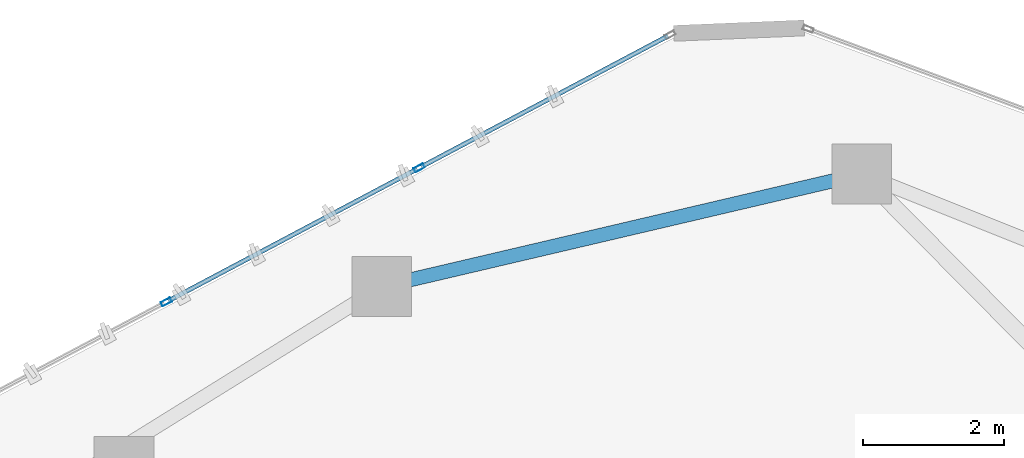
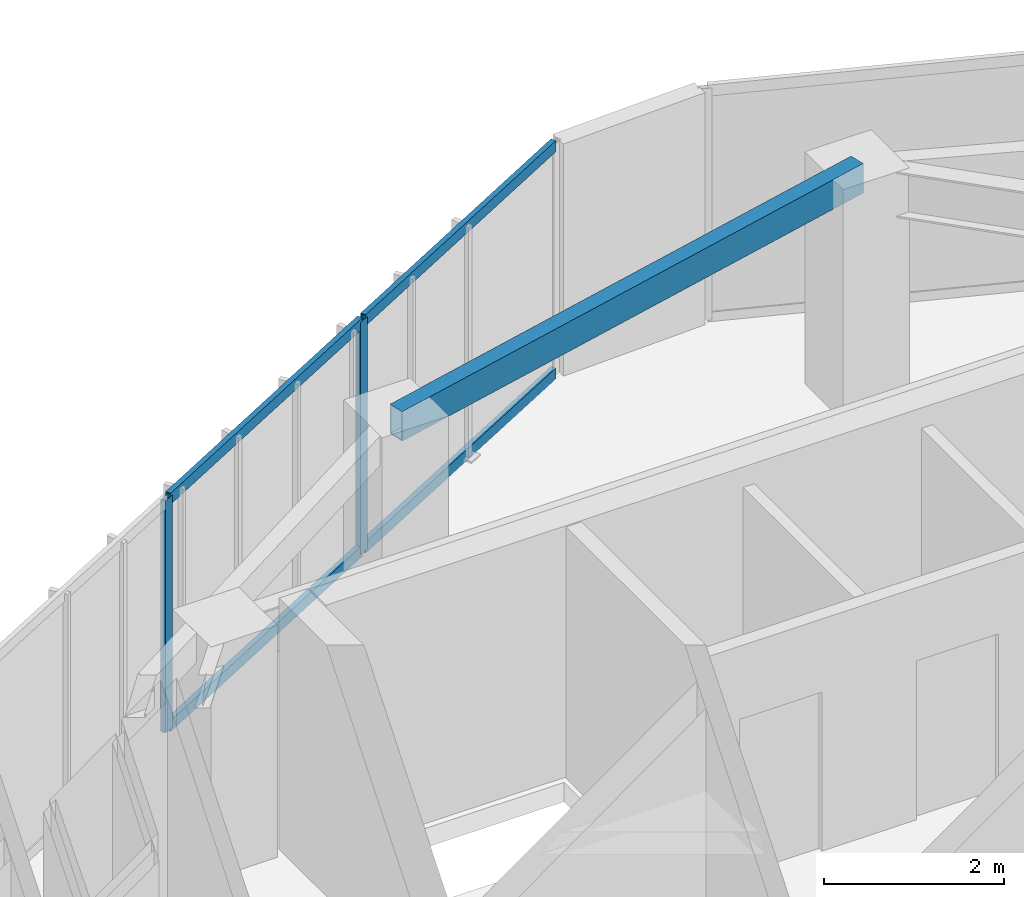
# One storey, part 11 of 20: 6 members, 1 beam, 1 element without a shape of its own.
"""IFC4 building model written with IfcOpenShell, lengths in metres."""

from ifc_helpers import new_model, si_unit, direction, frame, origin, origin_2d, place, context, subcontext, project, spatial, hollow_rectangle, extrude, source, transform, mapped, material, layer, layer_set, material_profile, profile_set, type_object, type_shapes, element, aggregate, save


model = new_model("IFC4")

# Units and contexts
model_context = context("Model", 3, precision=1e-05, world=origin(), true_north=direction((0.0, 1.0)))
body_context = subcontext(model_context, "Body", "Model", "MODEL_VIEW")
ifc_project = project(units=[si_unit("LENGTHUNIT", "METRE"), si_unit("AREAUNIT", "SQUARE_METRE"), si_unit("VOLUMEUNIT", "CUBIC_METRE"), si_unit("PLANEANGLEUNIT", "RADIAN"), si_unit("MASSUNIT", "GRAM", prefix="KILO")], contexts=[model_context])

# Site, building, storey
site_placement = place(None, origin())
site = spatial("IfcSite", under=ifc_project, at=site_placement, CompositionType="ELEMENT")
building_placement = place(site_placement, origin())
building = spatial("IfcBuilding", under=site, at=building_placement, Name="Talar Marvaseh", CompositionType="ELEMENT")
storey_placement = place(building_placement, frame((0.0, 0.0, 261.199951171875)))
storey = spatial("IfcBuildingStorey", under=building, at=storey_placement, Name="L69", CompositionType="ELEMENT", Elevation=261.199951171875)

# Beam
ifc_material_1 = material(Name="Steel S355", Category="steel")
ifc_material_profile_1 = material_profile(ifc_material_1, hollow_rectangle(XDim=0.199951171875, YDim=0.39990234375, WallThickness=0.013916015625, at=origin_2d()), Name="RHS400x200x14")
ifc_profile_set_1 = profile_set([ifc_material_profile_1], Name="Steel S355")
beam_type = type_object("IfcBeamType", Name="Zone 3 Perimeter Spandrel Beam RHS400x200x14", PredefinedType="SPANDREL", material=ifc_profile_set_1)
beam_placement = place(storey_placement, frame((22.364990234375, 39.4541015625, 2.93994140625), z_axis=(0.973655602276, 0.228023613157, 0.0), x_axis=(-0.228023613157, 0.973655602276, 0.0)))
element("IfcBeam", 1, at=beam_placement, inside=storey, type_object=beam_type, Name="L69 Zone 3 Perimeter Spandrel Beam RHS400x200x14", PredefinedType="SPANDREL", context=body_context, shape_type="SweptSolid", body=[
    extrude(hollow_rectangle(XDim=0.199951171875, YDim=0.39990234375, WallThickness=0.013916015625, at=origin_2d()), origin(), (0.0, 0.0, 1.0), 7.007568359375),
])

# Curtain wall, members
ifc_material_2 = material(Name="Architectural Aluminium", Category="aluminium")
ifc_layer = layer(ifc_material_2, 0.179931640625)
ifc_layer_set = layer_set([ifc_layer], Name="Architectural Aluminium")
curtain_wall_type = type_object("IfcCurtainWallType", Name="Unitised High-Wind Sky Curtain Wall Z4", PredefinedType="NOTDEFINED", material=ifc_layer_set)
curtain_wall_placement = place(storey_placement, origin())
curtain_wall = element("IfcCurtainWall", 2, at=curtain_wall_placement, inside=storey, type_object=curtain_wall_type, Name="L69 Unitised High-Wind Sky Curtain Wall Z4", PredefinedType="NOTDEFINED")
ifc_material_profile_2 = material_profile(ifc_material_2, hollow_rectangle(XDim=0.06494140625, YDim=0.14990234375, WallThickness=0.00390625, at=origin_2d()), Name="RHS150x65x4")
ifc_profile_set_2 = profile_set([ifc_material_profile_2], Name="Architectural Aluminium")
member_type_1 = type_object("IfcMemberType", Name="Unitised Curtain Wall Slim Transom RHS150x65x4", PredefinedType="USERDEFINED", material=ifc_profile_set_2)
shared_shape_1 = source(origin(), body_context, "Body", "SweptSolid", [
    extrude(hollow_rectangle(XDim=0.06494140625, YDim=0.14990234375, WallThickness=0.00390625, at=origin_2d()), origin(), (0.0, 0.0, 1.0), 3.97119140625),
])
member_1_placement = place(storey_placement, frame((22.925048828125, 41.1552734375, 0.032470703125), z_axis=(0.88351260411, 0.468407385061, 0.0), x_axis=(-0.468407385061, 0.88351260411, 0.0)))
member_1 = element("IfcMember", 3, at=member_1_placement, type_object=member_type_1, Name="CW-Z4 transom 3.1", ObjectType="TRANSOM", PredefinedType="USERDEFINED", context=body_context, shape_type="MappedRepresentation", body=[
    mapped(shared_shape_1, transform((0.0, 0.0, 0.0), x_axis=(1.0, 0.0, 0.0), y_axis=(0.0, 1.0, 0.0), z_axis=(0.0, 0.0, 1.0), scale=1.0)),
])
member_2_placement = place(storey_placement, frame((22.925048828125, 41.1552734375, 3.107666015625), z_axis=(0.88351260411, 0.468407385061, 0.0), x_axis=(-0.468407385061, 0.88351260411, 0.0)))
member_2 = element("IfcMember", 4, at=member_2_placement, type_object=member_type_1, Name="CW-Z4 transom 3.2", ObjectType="TRANSOM", PredefinedType="USERDEFINED", context=body_context, shape_type="MappedRepresentation", body=[
    mapped(shared_shape_1, transform((0.0, 0.0, 0.0), x_axis=(1.0, 0.0, 0.0), y_axis=(0.0, 1.0, 0.0), z_axis=(0.0, 0.0, 1.0), scale=1.0)),
])
shared_shape_2 = source(origin(), body_context, "Body", "SweptSolid", [
    extrude(hollow_rectangle(XDim=0.06494140625, YDim=0.14990234375, WallThickness=0.00390625, at=origin_2d()), origin(), (0.0, 0.0, 1.0), 4.00341796875),
])
type_shapes(member_type_1, [shared_shape_1, shared_shape_2])
member_3_placement = place(storey_placement, frame((19.33056640625, 39.24951171875, 0.032470703125), z_axis=(0.883513343435, 0.468405990539, 0.0), x_axis=(-0.468405990539, 0.883513343435, 0.0)))
member_3 = element("IfcMember", 5, at=member_3_placement, type_object=member_type_1, Name="CW-Z4 transom 2.1", ObjectType="TRANSOM", PredefinedType="USERDEFINED", context=body_context, shape_type="MappedRepresentation", body=[
    mapped(shared_shape_2, transform((0.0, 0.0, 0.0), x_axis=(1.0, 0.0, 0.0), y_axis=(0.0, 1.0, 0.0), z_axis=(0.0, 0.0, 1.0), scale=1.0)),
])
member_4_placement = place(storey_placement, frame((19.33056640625, 39.24951171875, 3.107666015625), z_axis=(0.883513343435, 0.468405990539, 0.0), x_axis=(-0.468405990539, 0.883513343435, 0.0)))
member_4 = element("IfcMember", 6, at=member_4_placement, type_object=member_type_1, Name="CW-Z4 transom 2.2", ObjectType="TRANSOM", PredefinedType="USERDEFINED", context=body_context, shape_type="MappedRepresentation", body=[
    mapped(shared_shape_2, transform((0.0, 0.0, 0.0), x_axis=(1.0, 0.0, 0.0), y_axis=(0.0, 1.0, 0.0), z_axis=(0.0, 0.0, 1.0), scale=1.0)),
])
ifc_material_profile_3 = material_profile(ifc_material_2, hollow_rectangle(XDim=0.06494140625, YDim=0.14990234375, WallThickness=0.00390625, at=origin_2d()), Name="RHS150x65x4")
ifc_profile_set_3 = profile_set([ifc_material_profile_3], Name="Architectural Aluminium")
member_type_2 = type_object("IfcMemberType", Name="Unitised Curtain Wall Slim Mullion RHS150x65x4", PredefinedType="MULLION", material=ifc_profile_set_3)
shared_shape_3 = source(origin(), body_context, "Body", "SweptSolid", [
    extrude(hollow_rectangle(XDim=0.06494140625, YDim=0.14990234375, WallThickness=0.00390625, at=origin_2d()), origin(), (0.0, 0.0, 1.0), 3.14013671875),
])
type_shapes(member_type_2, [shared_shape_3])
member_5_placement = place(storey_placement, frame((19.3017578125, 39.234130859375, 0.0), z_axis=(0.0, 0.0, 1.0), x_axis=(-0.468420274674, 0.883505770369, 0.0)))
member_5 = element("IfcMember", 7, at=member_5_placement, type_object=member_type_2, Name="CW-Z4 mullion 2", PredefinedType="MULLION", context=body_context, shape_type="MappedRepresentation", body=[
    mapped(shared_shape_3, transform((0.0, 0.0, 0.0), x_axis=(1.0, 0.0, 0.0), y_axis=(0.0, 1.0, 0.0), z_axis=(0.0, 0.0, 1.0), scale=1.0)),
])
member_6_placement = place(storey_placement, frame((22.896484375, 41.14013671875, 0.0), z_axis=(0.0, 0.0, 1.0), x_axis=(-0.468420274674, 0.883505770369, 0.0)))
member_6 = element("IfcMember", 8, at=member_6_placement, type_object=member_type_2, Name="CW-Z4 mullion 3", PredefinedType="MULLION", context=body_context, shape_type="MappedRepresentation", body=[
    mapped(shared_shape_3, transform((0.0, 0.0, 0.0), x_axis=(1.0, 0.0, 0.0), y_axis=(0.0, 1.0, 0.0), z_axis=(0.0, 0.0, 1.0), scale=1.0)),
])
aggregate(curtain_wall, [member_5, member_6, member_3, member_4, member_1, member_2])

save(model, "model.ifc")
